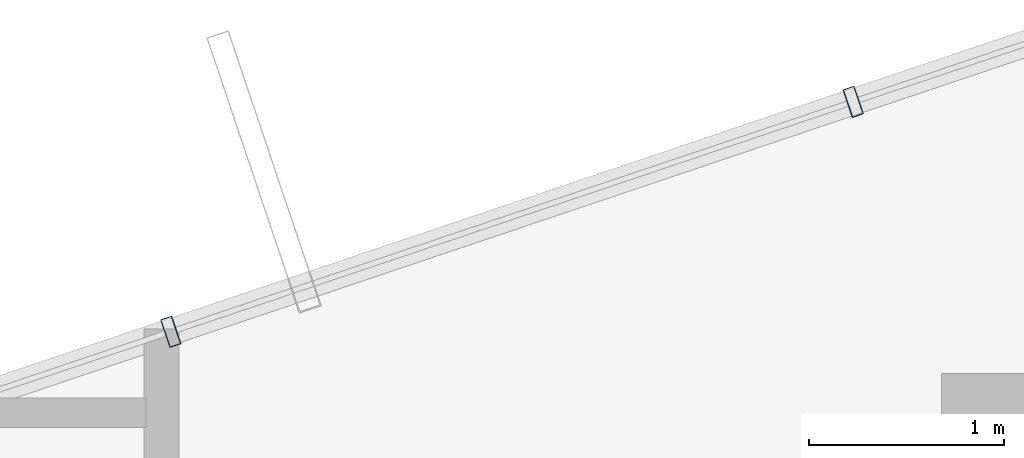
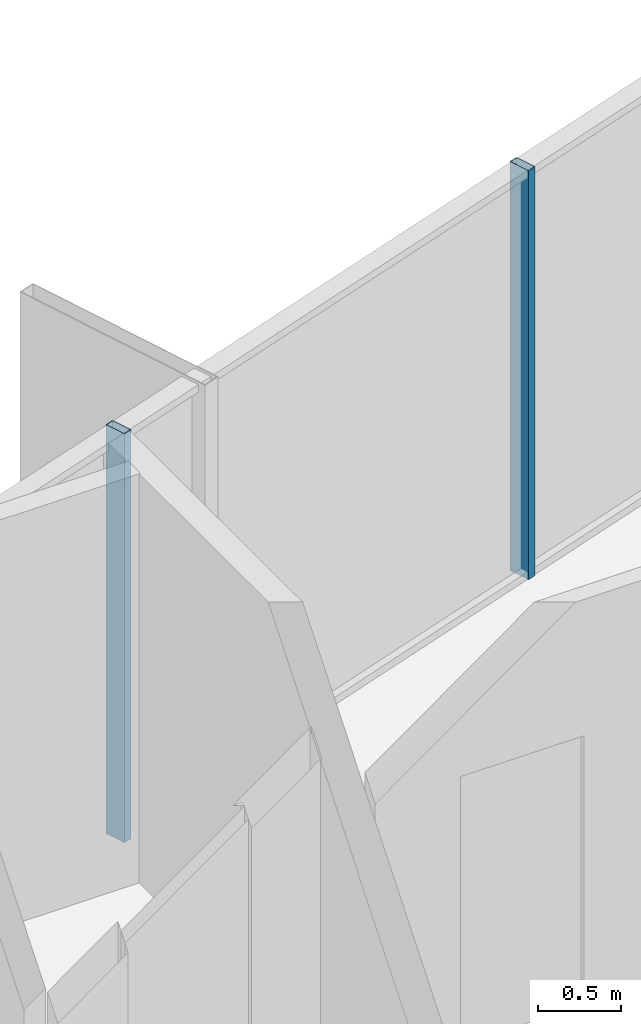
# One storey, part 20 of 28: 2 members, 1 element without a shape of its own.
"""IFC4 building model written with IfcOpenShell, lengths in metres."""

from ifc_helpers import new_model, si_unit, direction, frame, origin, origin_2d, place, context, subcontext, project, spatial, hollow_rectangle, extrude, source, transform, mapped, material, layer, layer_set, material_profile, profile_set, type_object, element, aggregate, save


model = new_model("IFC4")

# Units and contexts
model_context = context("Model", 3, precision=1e-05, world=origin(), true_north=direction((0.0, 1.0)))
body_context = subcontext(model_context, "Body", "Model", "MODEL_VIEW")
ifc_project = project(units=[si_unit("LENGTHUNIT", "METRE"), si_unit("AREAUNIT", "SQUARE_METRE"), si_unit("VOLUMEUNIT", "CUBIC_METRE"), si_unit("PLANEANGLEUNIT", "RADIAN"), si_unit("MASSUNIT", "GRAM", prefix="KILO")], contexts=[model_context])

# Site, building, storey
site_placement = place(None, origin())
site = spatial("IfcSite", under=ifc_project, at=site_placement, CompositionType="ELEMENT")
building_placement = place(site_placement, origin())
building = spatial("IfcBuilding", under=site, at=building_placement, Name="Veraguas Prism Commons", CompositionType="ELEMENT")
storey_placement = place(building_placement, frame((0.0, 0.0, 248.0)))
storey = spatial("IfcBuildingStorey", under=building, at=storey_placement, Name="L70", CompositionType="ELEMENT", Elevation=248.0)

# Curtain wall, members
ifc_material = material(Name="Anodised aluminium EN AW-6063 T6", Category="aluminium")
ifc_layer = layer(ifc_material, 0.14990234375, Name="Unitised Flush Curtain Wall Zone 4", Category="aluminium")
ifc_layer_set = layer_set([ifc_layer], Name="Anodised aluminium EN AW-6063 T6")
curtain_wall_type = type_object("IfcCurtainWallType", Name="Unitised Flush Curtain Wall Zone 4", PredefinedType="NOTDEFINED", material=ifc_layer_set)
curtain_wall_placement = place(storey_placement, origin())
curtain_wall = element("IfcCurtainWall", 1, at=curtain_wall_placement, inside=storey, type_object=curtain_wall_type, Name="Tower Facade Curtain Wall L70-F2", PredefinedType="NOTDEFINED")
ifc_material_profile = material_profile(ifc_material, hollow_rectangle(XDim=0.06005859375, YDim=0.14990234375, WallThickness=0.0029296875, at=origin_2d()), Name="AL60X150X3")
ifc_profile_set = profile_set([ifc_material_profile], Name="Anodised aluminium EN AW-6063 T6")
member_type = type_object("IfcMemberType", Name="Curtain Wall Mullion Upper AL 60x150x3", PredefinedType="MULLION", material=ifc_profile_set)
shared_shape = source(origin(), body_context, "Body", "SweptSolid", [
    extrude(hollow_rectangle(XDim=0.06005859375, YDim=0.14990234375, WallThickness=0.0029296875, at=origin_2d()), origin(), (0.0, 0.0, 1.0), 3.014892578125),
])
member_1_placement = place(storey_placement, frame((18.746337890625, 39.59326171875, 0.0), z_axis=(0.0, 0.0, 1.0), x_axis=(-0.94765924351, -0.319283507543, 0.0)))
member_1 = element("IfcMember", 2, at=member_1_placement, type_object=member_type, Name="CW-Z4 Mullion 3", PredefinedType="MULLION", context=body_context, shape_type="MappedRepresentation", body=[
    mapped(shared_shape, transform((0.0, 0.0, 0.0), scale=1.0)),
])
member_2_placement = place(storey_placement, frame((15.248046875, 38.41455078125, 0.0), z_axis=(0.0, 0.0, 1.0), x_axis=(-0.94765924351, -0.319283507543, 0.0)))
member_2 = element("IfcMember", 3, at=member_2_placement, type_object=member_type, Name="CW-Z4 Mullion 4", PredefinedType="MULLION", context=body_context, shape_type="MappedRepresentation", body=[
    mapped(shared_shape, transform((0.0, 0.0, 0.0), scale=1.0)),
])
aggregate(curtain_wall, [member_1, member_2])

save(model, "model.ifc")
